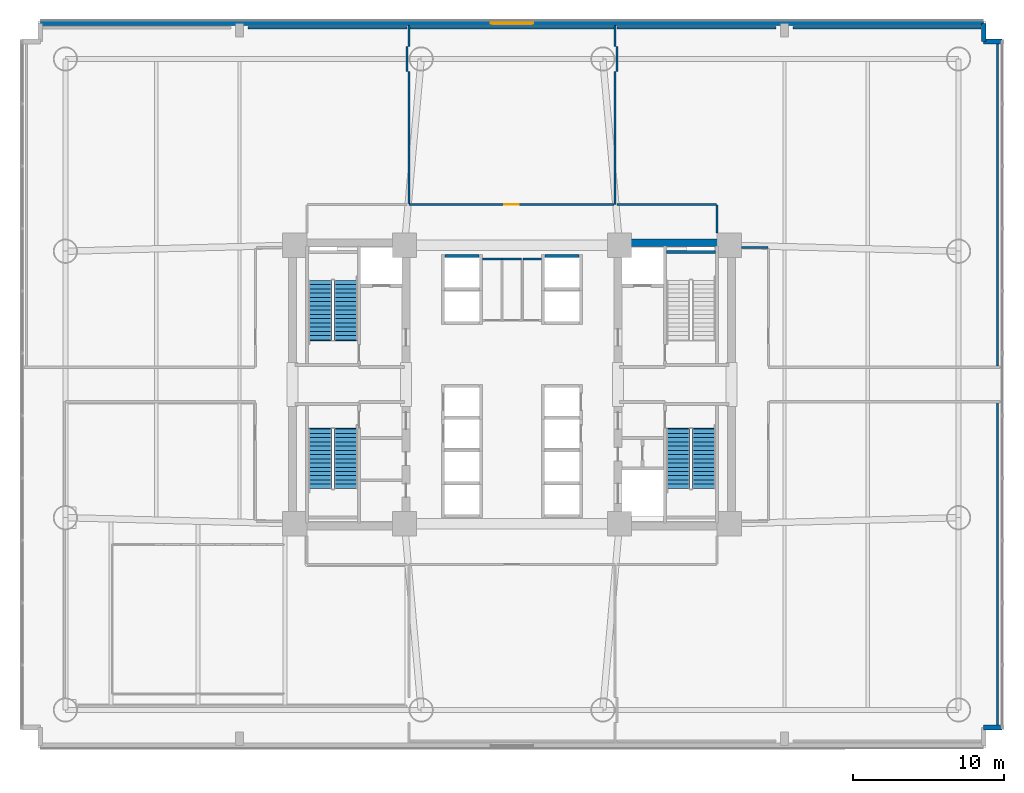
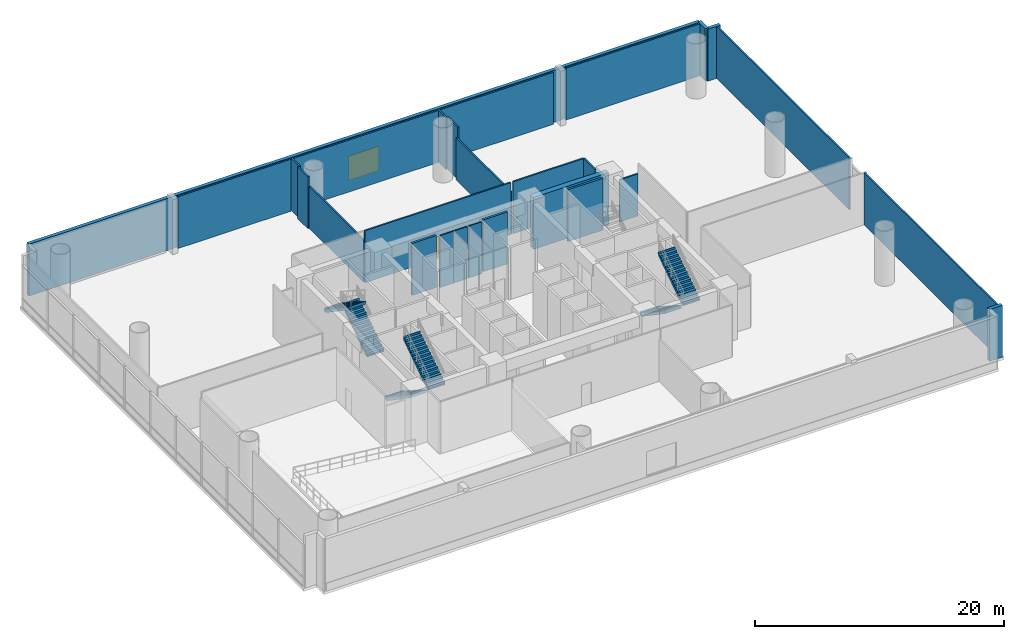
# One storey, part 10 of 15: 27 walls, 6 stair flights, 1 door, 1 window, 2 openings, 3 elements without a shape of their own.
"""IFC4 building model written with IfcOpenShell, lengths in metres."""

from ifc_helpers import new_model, si_unit, direction, frame, frame_2d, origin, place, context, subcontext, project, spatial, polyline, rectangle, outline, extrude, source, transform, mapped, material, layer, layer_set, type_object, element, fill, aggregate, save


model = new_model("IFC4")

# Units and contexts
model_context = context("Model", 3, precision=1e-05, world=origin(), true_north=direction((0.0, 1.0)))
body_context = subcontext(model_context, "Body", "Model", "MODEL_VIEW")
ifc_project = project(units=[si_unit("LENGTHUNIT", "METRE"), si_unit("AREAUNIT", "SQUARE_METRE"), si_unit("VOLUMEUNIT", "CUBIC_METRE"), si_unit("PLANEANGLEUNIT", "RADIAN"), si_unit("MASSUNIT", "GRAM", prefix="KILO")], contexts=[model_context])

# Site, building, storey
site_placement = place(None, origin())
site = spatial("IfcSite", under=ifc_project, at=site_placement, CompositionType="ELEMENT")
building_placement = place(site_placement, origin())
building = spatial("IfcBuilding", under=site, at=building_placement, Name="Zahravan Cultural Tower", CompositionType="ELEMENT")
storey_placement = place(building_placement, frame((0.0, 0.0, 12.60009765625)))
storey = spatial("IfcBuildingStorey", under=building, at=storey_placement, Name="L02", CompositionType="ELEMENT", Elevation=12.60009765625)

# Wall, opening, window
ifc_material_1 = material(Name="Precast concrete C40/50", Category="concrete")
ifc_layer_1 = layer(ifc_material_1, 0.320068359375)
ifc_layer_set_1 = layer_set([ifc_layer_1], Name="Precast concrete C40/50")
wall_type_1 = type_object("IfcWallType", Name="EW-TC-320", PredefinedType="SOLIDWALL", material=ifc_layer_set_1)
wall_1_placement = place(storey_placement, frame((4.840087890625, 50.860107421875, 0.0), z_axis=(0.0, 0.0, 1.0), x_axis=(1.0, 0.0, 0.0)))
wall_1 = element("IfcWall", 1, at=wall_1_placement, inside=storey, type_object=wall_type_1, Name="L02 Exterior Masonry Frame Wall 08", PredefinedType="SOLIDWALL", context=body_context, shape_type="SweptSolid", body=[
    extrude(rectangle(XDim=62.31982421875, YDim=0.320068359375, at=frame_2d((31.159912109375, 0.0))), origin(), (0.0, 0.0, 1.0), 5.099853515625),
])
opening_1_placement = place(wall_1_placement, frame((29.760009765625, 0.0, 0.85009765625)))
opening_1 = element("IfcOpeningElement", 2, at=opening_1_placement, cuts=wall_1, Name="Opening WN-04", PredefinedType="OPENING", context=body_context, shape_type="SweptSolid", body=[
    extrude(rectangle(XDim=2.800048828125, YDim=2.39990234375, at=frame_2d((1.39990234375, 1.199951171875))), frame((0.0, 0.169921875, 0.0), z_axis=(0.0, -1.0, 0.0), x_axis=(1.0, 0.0, 0.0)), (0.0, 0.0, 1.0), 0.340087890625),
])
ifc_material_2 = material(Name="Low-E solar-control double glazing", Category="glass")
window_type = type_object("IfcWindowType", Name="WN-POD-2800X2400", PartitioningType="TRIPLE_PANEL_VERTICAL", PredefinedType="WINDOW", material=ifc_material_2)
shared_shape_1 = source(origin(), body_context, "Body", "SweptSolid", [
    extrude(rectangle(XDim=2.800048828125, YDim=2.39990234375, at=frame_2d((1.39990234375, 1.199951171875))), frame((0.0, 0.030029296875, 0.0), z_axis=(0.0, -1.0, 0.0), x_axis=(1.0, 0.0, 0.0)), (0.0, 0.0, 1.0), 0.06005859375),
])
window_placement = place(opening_1_placement, origin())
window = element("IfcWindow", 3, at=window_placement, inside=storey, type_object=window_type, Name="L02 Recessed Solar Window 02", OverallHeight=2.39990234375, OverallWidth=2.800048828125, PartitioningType="TRIPLE_PANEL_VERTICAL", PredefinedType="WINDOW", context=body_context, shape_type="MappedRepresentation", body=[
    mapped(shared_shape_1, transform((0.0, 0.0, 0.0), x_axis=(1.0, 0.0, 0.0), y_axis=(0.0, 1.0, 0.0), z_axis=(0.0, 0.0, 1.0), scale=1.0)),
])
fill(opening_1, window)

# Wall, opening, door
ifc_material_3 = material(Name="Gypsum plasterboard partition")
ifc_layer_2 = layer(ifc_material_3, 0.139892578125)
ifc_layer_set_2 = layer_set([ifc_layer_2], Name="Gypsum plasterboard partition")
wall_type_2 = type_object("IfcWallType", Name="W-PART-140", PredefinedType="PARTITIONING", material=ifc_layer_set_2)
wall_2_placement = place(storey_placement, frame((42.735107421875, 38.889892578125, 0.0), z_axis=(0.0, 0.0, 1.0), x_axis=(-1.0, 0.0, 0.0)))
wall_2 = element("IfcWall", 4, at=wall_2_placement, inside=storey, type_object=wall_type_2, Name="L02 Interior Wall 085", PredefinedType="PARTITIONING", context=body_context, shape_type="SweptSolid", body=[
    extrude(rectangle(XDim=13.545166015625, YDim=0.139892578125, at=frame_2d((6.7724609375, 0.0))), origin(), (0.0, 0.0, 1.0), 5.099853515625),
])
opening_2_placement = place(wall_2_placement, frame((6.297607421875, 0.0, 0.0)))
opening_2 = element("IfcOpeningElement", 5, at=opening_2_placement, cuts=wall_2, Name="Opening D-L02-21", PredefinedType="OPENING", context=body_context, shape_type="SweptSolid", body=[
    extrude(rectangle(XDim=0.949951171875, YDim=2.14990234375, at=frame_2d((0.47509765625, 1.074951171875))), frame((0.0, 0.079833984375, 0.0), z_axis=(0.0, -1.0, 0.0), x_axis=(1.0, 0.0, 0.0)), (0.0, 0.0, 1.0), 0.159912109375),
])
ifc_material_4 = material(Name="Anodised bronze-aluminium mullion", Category="aluminium")
door_type = type_object("IfcDoorType", Name="DR-ROOM-950", OperationType="NOTDEFINED", PredefinedType="DOOR", material=ifc_material_4)
shared_shape_2 = source(origin(), body_context, "Body", "SweptSolid", [
    extrude(rectangle(XDim=0.949951171875, YDim=2.14990234375, at=frame_2d((0.47509765625, 1.074951171875))), frame((0.0, 0.02490234375, 0.0), z_axis=(0.0, -1.0, 0.0), x_axis=(1.0, 0.0, 0.0)), (0.0, 0.0, 1.0), 0.050048828125),
])
door_placement = place(opening_2_placement, origin())
door = element("IfcDoor", 6, at=door_placement, inside=storey, type_object=door_type, Name="L02 Door D-L02-21", OperationType="SINGLE_SWING_RIGHT", OverallHeight=2.14990234375, OverallWidth=0.949951171875, PredefinedType="DOOR", context=body_context, shape_type="MappedRepresentation", body=[
    mapped(shared_shape_2, transform((0.0, 0.0, 0.0), x_axis=(1.0, 0.0, 0.0), y_axis=(0.0, 1.0, 0.0), z_axis=(0.0, 0.0, 1.0), scale=1.0)),
])
fill(opening_2, door)

# Walls
ifc_material_5 = material(Name="Concrete C60/75", Category="concrete")
ifc_layer_3 = layer(ifc_material_5, 0.5)
ifc_layer_set_3 = layer_set([ifc_layer_3], Name="Concrete C60/75")
wall_type_3 = type_object("IfcWallType", Name="CW-SHEAR-500-C60", PredefinedType="SHEAR", material=ifc_layer_set_3)
shared_shape_3 = source(origin(), body_context, "Body", "SweptSolid", [
    extrude(rectangle(XDim=7.0, YDim=0.5, at=frame_2d((3.5, 0.0))), origin(), (0.0, 0.0, 1.0), 5.099853515625),
])
wall_3_placement = place(storey_placement, frame((43.25, 36.35009765625, 0.0), z_axis=(0.0, 0.0, 1.0), x_axis=(1.0, 0.0, 0.0)))
element("IfcWall", 7, at=wall_3_placement, inside=storey, type_object=wall_type_3, Name="L02 Core Shear Wall CW-E-N-L02", PredefinedType="SHEAR", context=body_context, shape_type="MappedRepresentation", body=[
    mapped(shared_shape_3, transform((0.0, 0.0, 0.0), x_axis=(1.0, 0.0, 0.0), y_axis=(0.0, 1.0, 0.0), z_axis=(0.0, 0.0, 1.0), scale=1.0)),
])
shared_shape_4 = source(origin(), body_context, "Body", "SweptSolid", [
    extrude(rectangle(XDim=1.2001953125, YDim=0.320068359375, at=frame_2d((0.60009765625, 0.0))), origin(), (0.0, 0.0, 1.0), 5.099853515625),
])
for number, where, z_axis, x_axis, name in (
    (8, (68.360107421875, 4.340087890625, 0.0), (0.0, 0.0, 1.0), (-1.0, 0.0, 0.0), "L02 Exterior Masonry Frame Wall 01"),
    (9, (67.159912109375, 50.860107421875, 0.0), (0.0, 0.0, 1.0), (0.0, -1.0, 0.0), "L02 Exterior Masonry Frame Wall 09"),
    (10, (67.159912109375, 49.659912109375, 0.0), (0.0, 0.0, 1.0), (1.0, 0.0, 0.0), "L02 Exterior Masonry Frame Wall 10"),
):
    element("IfcWall", number, at=place(storey_placement, frame(where, z_axis=z_axis, x_axis=x_axis)), inside=storey, type_object=wall_type_1, Name=name, PredefinedType="SOLIDWALL", context=body_context, shape_type="MappedRepresentation", body=[
        mapped(shared_shape_4, transform((0.0, 0.0, 0.0), x_axis=(1.0, 0.0, 0.0), y_axis=(0.0, 1.0, 0.0), z_axis=(0.0, 0.0, 1.0), scale=1.0)),
    ])
ifc_material_6 = material(Name="Concrete C45/55", Category="concrete")
ifc_layer_4 = layer(ifc_material_6, 0.199951171875)
ifc_layer_set_4 = layer_set([ifc_layer_4], Name="Concrete C45/55")
wall_type_4 = type_object("IfcWallType", Name="W-SHAFT-200", PredefinedType="SOLIDWALL", material=ifc_layer_set_4)
shared_shape_5 = source(origin(), body_context, "Body", "SweptSolid", [
    extrude(rectangle(XDim=3.25, YDim=0.199951171875, at=frame_2d((1.625, 0.0))), origin(), (0.0, 0.0, 1.0), 5.099853515625),
])
wall_4_placement = place(storey_placement, frame((46.199951171875, 35.75, 0.0), z_axis=(0.0, 0.0, 1.0), x_axis=(1.0, 0.0, 0.0)))
element("IfcWall", 11, at=wall_4_placement, inside=storey, type_object=wall_type_4, Name="L02 Interior Wall 018", PredefinedType="SOLIDWALL", context=body_context, shape_type="MappedRepresentation", body=[
    mapped(shared_shape_5, transform((0.0, 0.0, 0.0), x_axis=(1.0, 0.0, 0.0), y_axis=(0.0, 1.0, 0.0), z_axis=(0.0, 0.0, 1.0), scale=1.0)),
])
shared_shape_6 = source(origin(), body_context, "Body", "SweptSolid", [
    extrude(rectangle(XDim=2.260009765625, YDim=0.199951171875, at=frame_2d((1.1298828125, 0.0))), origin(), (0.0, 0.0, 1.0), 5.099853515625),
])
for number, where, z_axis, x_axis, name in (
    (12, (31.570068359375, 35.5, 0.0), (0.0, 0.0, 1.0), (1.0, 0.0, 0.0), "L02 Interior Wall 031"),
    (13, (38.169921875, 35.5, 0.0), (0.0, 0.0, 1.0), (1.0, 0.0, 0.0), "L02 Interior Wall 038"),
):
    element("IfcWall", number, at=place(storey_placement, frame(where, z_axis=z_axis, x_axis=x_axis)), inside=storey, type_object=wall_type_4, Name=name, PredefinedType="SOLIDWALL", context=body_context, shape_type="MappedRepresentation", body=[
        mapped(shared_shape_6, transform((0.0, 0.0, 0.0), x_axis=(1.0, 0.0, 0.0), y_axis=(0.0, 1.0, 0.0), z_axis=(0.0, 0.0, 1.0), scale=1.0)),
    ])
ifc_layer_5 = layer(ifc_material_3, 0.114990234375)
ifc_layer_set_5 = layer_set([ifc_layer_5], Name="Gypsum plasterboard partition")
wall_type_5 = type_object("IfcWallType", Name="W-WC-115", PredefinedType="PARTITIONING", material=ifc_layer_set_5)
shared_shape_7 = source(origin(), body_context, "Body", "SweptSolid", [
    extrude(rectangle(XDim=1.20263671875, YDim=0.114990234375, at=frame_2d((0.601318359375, 0.0))), origin(), (0.0, 0.0, 1.0), 5.099853515625),
])
wall_5_placement = place(storey_placement, frame((36.742431640625, 35.280029296875, 0.0), z_axis=(0.0, 0.0, 1.0), x_axis=(1.0, 0.0, 0.0)))
element("IfcWall", 14, at=wall_5_placement, inside=storey, type_object=wall_type_5, Name="L02 Interior Wall 069", PredefinedType="PARTITIONING", context=body_context, shape_type="MappedRepresentation", body=[
    mapped(shared_shape_7, transform((0.0, 0.0, 0.0), x_axis=(1.0, 0.0, 0.0), y_axis=(0.0, 1.0, 0.0), z_axis=(0.0, 0.0, 1.0), scale=1.0)),
])
shared_shape_8 = source(origin(), body_context, "Body", "SweptSolid", [
    extrude(rectangle(XDim=1.28515625, YDim=0.114990234375, at=frame_2d((0.642578125, 0.0))), origin(), (0.0, 0.0, 1.0), 5.099853515625),
])
wall_6_placement = place(storey_placement, frame((34.054931640625, 35.280029296875, 0.0), z_axis=(0.0, 0.0, 1.0), x_axis=(1.0, 0.0, 0.0)))
element("IfcWall", 15, at=wall_6_placement, inside=storey, type_object=wall_type_5, Name="L02 Interior Wall 071", PredefinedType="PARTITIONING", context=body_context, shape_type="MappedRepresentation", body=[
    mapped(shared_shape_8, transform((0.0, 0.0, 0.0), x_axis=(1.0, 0.0, 0.0), y_axis=(0.0, 1.0, 0.0), z_axis=(0.0, 0.0, 1.0), scale=1.0)),
])
shared_shape_9 = source(origin(), body_context, "Body", "SweptSolid", [
    extrude(rectangle(XDim=1.27734375, YDim=0.114990234375, at=frame_2d((0.638671875, 0.0))), origin(), (0.0, 0.0, 1.0), 5.099853515625),
])
wall_7_placement = place(storey_placement, frame((35.340087890625, 35.280029296875, 0.0), z_axis=(0.0, 0.0, 1.0), x_axis=(1.0, 0.0, 0.0)))
element("IfcWall", 16, at=wall_7_placement, inside=storey, type_object=wall_type_5, Name="L02 Interior Wall 074", PredefinedType="PARTITIONING", context=body_context, shape_type="MappedRepresentation", body=[
    mapped(shared_shape_9, transform((0.0, 0.0, 0.0), x_axis=(1.0, 0.0, 0.0), y_axis=(0.0, 1.0, 0.0), z_axis=(0.0, 0.0, 1.0), scale=1.0)),
])
shared_shape_10 = source(origin(), body_context, "Body", "SweptSolid", [
    extrude(rectangle(XDim=13.6201171875, YDim=0.139892578125, at=frame_2d((6.81005859375, 0.0))), origin(), (0.0, 0.0, 1.0), 5.099853515625),
])
wall_8_placement = place(storey_placement, frame((29.18994140625, 50.56005859375, 0.0), z_axis=(0.0, 0.0, 1.0), x_axis=(1.0, 0.0, 0.0)))
element("IfcWall", 17, at=wall_8_placement, inside=storey, type_object=wall_type_2, Name="L02 Interior Wall 082", PredefinedType="PARTITIONING", context=body_context, shape_type="MappedRepresentation", body=[
    mapped(shared_shape_10, transform((0.0, 0.0, 0.0), x_axis=(1.0, 0.0, 0.0), y_axis=(0.0, 1.0, 0.0), z_axis=(0.0, 0.0, 1.0), scale=1.0)),
])
shared_shape_11 = source(origin(), body_context, "Body", "SweptSolid", [
    extrude(rectangle(XDim=1.3798828125, YDim=0.139892578125, at=frame_2d((0.68994140625, 0.0))), origin(), (0.0, 0.0, 1.0), 5.099853515625),
])
for number, where, z_axis, x_axis, name in (
    (18, (42.81005859375, 50.699951171875, 0.0), (0.0, 0.0, 1.0), (0.0, -1.0, 0.0), "L02 Interior Wall 083"),
    (19, (29.18994140625, 49.320068359375, 0.0), (0.0, 0.0, 1.0), (0.0, 1.0, 0.0), "L02 Interior Wall 087"),
):
    element("IfcWall", number, at=place(storey_placement, frame(where, z_axis=z_axis, x_axis=x_axis)), inside=storey, type_object=wall_type_2, Name=name, PredefinedType="PARTITIONING", context=body_context, shape_type="MappedRepresentation", body=[
        mapped(shared_shape_11, transform((0.0, 0.0, 0.0), x_axis=(1.0, 0.0, 0.0), y_axis=(0.0, 1.0, 0.0), z_axis=(0.0, 0.0, 1.0), scale=1.0)),
    ])
shared_shape_12 = source(origin(), body_context, "Body", "SweptSolid", [
    extrude(rectangle(XDim=8.7900390625, YDim=0.139892578125, at=frame_2d((4.39501953125, 0.0))), origin(), (0.0, 0.0, 1.0), 4.126953125),
])
wall_9_placement = place(storey_placement, frame((42.81005859375, 47.679931640625, 0.0), z_axis=(0.0, 0.0, 1.0), x_axis=(0.0, -1.0, 0.0)))
element("IfcWall", 20, at=wall_9_placement, inside=storey, type_object=wall_type_2, Name="L02 Interior Wall 084", PredefinedType="PARTITIONING", context=body_context, shape_type="MappedRepresentation", body=[
    mapped(shared_shape_12, transform((0.0, 0.0, 0.0), x_axis=(1.0, 0.0, 0.0), y_axis=(0.0, 1.0, 0.0), z_axis=(0.0, 0.0, 1.0), scale=1.0)),
])
shared_shape_13 = source(origin(), body_context, "Body", "SweptSolid", [
    extrude(rectangle(XDim=8.71484375, YDim=0.139892578125, at=frame_2d((4.357421875, 0.0))), origin(), (0.0, 0.0, 1.0), 4.126953125),
])
wall_10_placement = place(storey_placement, frame((29.18994140625, 38.965087890625, 0.0), z_axis=(0.0, 0.0, 1.0), x_axis=(0.0, 1.0, 0.0)))
element("IfcWall", 21, at=wall_10_placement, inside=storey, type_object=wall_type_2, Name="L02 Interior Wall 086", PredefinedType="PARTITIONING", context=body_context, shape_type="MappedRepresentation", body=[
    mapped(shared_shape_13, transform((0.0, 0.0, 0.0), x_axis=(1.0, 0.0, 0.0), y_axis=(0.0, 1.0, 0.0), z_axis=(0.0, 0.0, 1.0), scale=1.0)),
])
shared_shape_14 = source(origin(), body_context, "Body", "SweptSolid", [
    extrude(rectangle(XDim=6.55419921875, YDim=0.139892578125, at=frame_2d((3.277099609375, 0.0))), origin(), (0.0, 0.0, 1.0), 5.099853515625),
])
wall_11_placement = place(storey_placement, frame((49.494140625, 38.889892578125, 0.0), z_axis=(0.0, 0.0, 1.0), x_axis=(-1.0, 0.0, 0.0)))
element("IfcWall", 22, at=wall_11_placement, inside=storey, type_object=wall_type_2, Name="L02 Interior Wall 118", PredefinedType="PARTITIONING", context=body_context, shape_type="MappedRepresentation", body=[
    mapped(shared_shape_14, transform((0.0, 0.0, 0.0), x_axis=(1.0, 0.0, 0.0), y_axis=(0.0, 1.0, 0.0), z_axis=(0.0, 0.0, 1.0), scale=1.0)),
])
shared_shape_15 = source(origin(), body_context, "Body", "SweptSolid", [
    extrude(rectangle(XDim=1.64013671875, YDim=0.139892578125, at=frame_2d((0.820068359375, 0.0))), origin(), (0.0, 0.0, 1.0), 5.099853515625),
])
for number, where, z_axis, x_axis, name in (
    (23, (29.06005859375, 49.320068359375, 0.0), (0.0, 0.0, 1.0), (0.0, -1.0, 0.0), "L02 Interior Wall 096"),
    (24, (42.93994140625, 47.679931640625, 0.0), (0.0, 0.0, 1.0), (0.0, 1.0, 0.0), "L02 Interior Wall 119"),
):
    element("IfcWall", number, at=place(storey_placement, frame(where, z_axis=z_axis, x_axis=x_axis)), inside=storey, type_object=wall_type_2, Name=name, PredefinedType="PARTITIONING", context=body_context, shape_type="MappedRepresentation", body=[
        mapped(shared_shape_15, transform((0.0, 0.0, 0.0), x_axis=(1.0, 0.0, 0.0), y_axis=(0.0, 1.0, 0.0), z_axis=(0.0, 0.0, 1.0), scale=1.0)),
    ])
shared_shape_16 = source(origin(), body_context, "Body", "SweptSolid", [
    extrude(rectangle(XDim=21.280029296875, YDim=0.139892578125, at=frame_2d((10.64013671875, 0.0))), origin(), (0.0, 0.0, 1.0), 5.099853515625),
])
wall_12_placement = place(storey_placement, frame((68.06005859375, 49.4951171875, 0.0), z_axis=(0.0, 0.0, 1.0), x_axis=(0.0, -1.0, 0.0)))
element("IfcWall", 25, at=wall_12_placement, inside=storey, type_object=wall_type_2, Name="L02 Interior Wall 122", PredefinedType="PARTITIONING", context=body_context, shape_type="MappedRepresentation", body=[
    mapped(shared_shape_16, transform((0.0, 0.0, 0.0), x_axis=(1.0, 0.0, 0.0), y_axis=(0.0, 1.0, 0.0), z_axis=(0.0, 0.0, 1.0), scale=1.0)),
])
shared_shape_17 = source(origin(), body_context, "Body", "SweptSolid", [
    extrude(rectangle(XDim=12.425048828125, YDim=0.139892578125, at=frame_2d((6.21240234375, 0.0))), origin(), (0.0, 0.0, 1.0), 5.099853515625),
])
wall_13_placement = place(storey_placement, frame((54.570068359375, 50.56005859375, 0.0), z_axis=(0.0, 0.0, 1.0), x_axis=(1.0, 0.0, 0.0)))
element("IfcWall", 26, at=wall_13_placement, inside=storey, type_object=wall_type_2, Name="L02 Interior Wall 121", PredefinedType="PARTITIONING", context=body_context, shape_type="MappedRepresentation", body=[
    mapped(shared_shape_17, transform((0.0, 0.0, 0.0), x_axis=(1.0, 0.0, 0.0), y_axis=(0.0, 1.0, 0.0), z_axis=(0.0, 0.0, 1.0), scale=1.0)),
])
shared_shape_18 = source(origin(), body_context, "Body", "SweptSolid", [
    extrude(rectangle(XDim=10.489990234375, YDim=0.139892578125, at=frame_2d((5.2451171875, 0.0))), origin(), (0.0, 0.0, 1.0), 5.099853515625),
])
for number, where, z_axis, x_axis, name in (
    (27, (18.570068359375, 50.56005859375, 0.0), (0.0, 0.0, 1.0), (1.0, 0.0, 0.0), "L02 Interior Wall 104"),
    (28, (42.93994140625, 50.56005859375, 0.0), (0.0, 0.0, 1.0), (1.0, 0.0, 0.0), "L02 Interior Wall 120"),
):
    element("IfcWall", number, at=place(storey_placement, frame(where, z_axis=z_axis, x_axis=x_axis)), inside=storey, type_object=wall_type_2, Name=name, PredefinedType="PARTITIONING", context=body_context, shape_type="MappedRepresentation", body=[
        mapped(shared_shape_18, transform((0.0, 0.0, 0.0), x_axis=(1.0, 0.0, 0.0), y_axis=(0.0, 1.0, 0.0), z_axis=(0.0, 0.0, 1.0), scale=1.0)),
    ])
shared_shape_19 = source(origin(), body_context, "Body", "SweptSolid", [
    extrude(rectangle(XDim=21.355224609375, YDim=0.139892578125, at=frame_2d((10.677734375, 0.0))), origin(), (0.0, 0.0, 1.0), 5.099853515625),
])
wall_14_placement = place(storey_placement, frame((68.06005859375, 25.860107421875, 0.0), z_axis=(0.0, 0.0, 1.0), x_axis=(0.0, -1.0, 0.0)))
element("IfcWall", 29, at=wall_14_placement, inside=storey, type_object=wall_type_2, Name="L02 Interior Wall 105", PredefinedType="PARTITIONING", context=body_context, shape_type="MappedRepresentation", body=[
    mapped(shared_shape_19, transform((0.0, 0.0, 0.0), x_axis=(1.0, 0.0, 0.0), y_axis=(0.0, 1.0, 0.0), z_axis=(0.0, 0.0, 1.0), scale=1.0)),
])
shared_shape_20 = source(origin(), body_context, "Body", "SweptSolid", [
    extrude(rectangle(XDim=1.832275390625, YDim=0.139892578125, at=frame_2d((0.916015625, 0.0))), origin(), (0.0, 0.0, 1.0), 5.099853515625),
])
wall_15_placement = place(storey_placement, frame((49.539794921875, 37.02001953125, 0.0), z_axis=(0.0, 0.0, 1.0), x_axis=(-0.000133244502, 0.999999991123, 0.0)))
element("IfcWall", 30, at=wall_15_placement, inside=storey, type_object=wall_type_2, Name="L02 Interior Wall 117", PredefinedType="PARTITIONING", context=body_context, shape_type="MappedRepresentation", body=[
    mapped(shared_shape_20, transform((0.0, 0.0, 0.0), x_axis=(1.0, 0.0, 0.0), y_axis=(0.0, 1.0, 0.0), z_axis=(0.0, 0.0, 1.0), scale=1.0)),
])
shared_shape_21 = source(origin(), body_context, "Body", "SweptSolid", [
    extrude(rectangle(XDim=1.7255859375, YDim=0.139892578125, at=frame_2d((0.86279296875, 0.0))), origin(), (0.0, 0.0, 1.0), 4.126953125),
])
wall_16_placement = place(storey_placement, frame((52.8955078125, 36.0400390625, 0.0), z_axis=(0.0, 0.0, 1.0), x_axis=(-1.0, 0.0, 0.0)))
element("IfcWall", 31, at=wall_16_placement, inside=storey, type_object=wall_type_2, Name="L02 Interior Wall 116", PredefinedType="PARTITIONING", context=body_context, shape_type="MappedRepresentation", body=[
    mapped(shared_shape_21, transform((0.0, 0.0, 0.0), x_axis=(1.0, 0.0, 0.0), y_axis=(0.0, 1.0, 0.0), z_axis=(0.0, 0.0, 1.0), scale=1.0)),
])

# Stair, stair flights
stair_type = type_object("IfcStairType", Name="STR-DL-1550-540", PredefinedType="HALF_TURN_STAIR", material=ifc_material_6)
stair_1_placement = place(storey_placement, origin())
stair_1 = element("IfcStair", 32, at=stair_1_placement, inside=storey, type_object=stair_type, Name="L02 West Core North Exit Stair ST-W1", PredefinedType="HALF_TURN_STAIR")
stair_flight_type = type_object("IfcStairFlightType", Name="FLG-DL-1550-540", PredefinedType="STRAIGHT", material=ifc_material_6)
stair_flight_1_placement = place(storey_placement, frame((25.02490234375, 29.949951171875, 0.0), z_axis=(0.0, 0.0, 1.0), x_axis=(0.0, 1.0, 0.0)))
stair_flight_1 = element("IfcStairFlight", 33, at=stair_flight_1_placement, type_object=stair_flight_type, Name="ST-W1 flight 1", NumberOfRisers=15, NumberOfTreads=14, PredefinedType="STRAIGHT", RiserHeight=0.18, TreadLength=0.28, context=body_context, shape_type="SweptSolid", body=[
    extrude(outline(polyline([(-0.06494140625, -0.139892578125), (-0.06494140625, 0.0), (0.0, 0.0), (0.0, 0.179931640625), (0.280029296875, 0.179931640625), (0.280029296875, 0.360107421875), (0.56005859375, 0.360107421875), (0.56005859375, 0.5400390625), (0.840087890625, 0.5400390625), (0.840087890625, 0.719970703125), (1.1201171875, 0.719970703125), (1.1201171875, 0.89990234375), (1.39990234375, 0.89990234375), (1.39990234375, 1.080078125), (1.679931640625, 1.080078125), (1.679931640625, 1.260009765625), (1.9599609375, 1.260009765625), (1.9599609375, 1.43994140625), (2.239990234375, 1.43994140625), (2.239990234375, 1.6201171875), (2.52001953125, 1.6201171875), (2.52001953125, 1.800048828125), (2.800048828125, 1.800048828125), (2.800048828125, 1.97998046875), (3.080078125, 1.97998046875), (3.080078125, 2.159912109375), (3.360107421875, 2.159912109375), (3.360107421875, 2.340087890625), (3.639892578125, 2.340087890625), (3.639892578125, 2.52001953125), (3.919921875, 2.52001953125), (3.919921875, 2.699951171875), (3.985107421875, 2.699951171875), (3.985107421875, 2.550048828125), (3.919921875, 2.341796875), (0.277099609375, -0.139892578125), (-0.06494140625, -0.139892578125)])), frame((0.0, 0.77490234375, 0.0), z_axis=(0.0, -1.0, 0.0), x_axis=(1.0, 0.0, 0.0)), (0.0, 0.0, 1.0), 1.550048828125),
])
stair_flight_2_placement = place(storey_placement, frame((23.324951171875, 33.8701171875, 2.699951171875), z_axis=(0.0, 0.0, 1.0), x_axis=(0.0, -1.0, 0.0)))
stair_flight_2 = element("IfcStairFlight", 34, at=stair_flight_2_placement, type_object=stair_flight_type, Name="ST-W1 flight 2", NumberOfRisers=15, NumberOfTreads=14, PredefinedType="STRAIGHT", RiserHeight=0.18, TreadLength=0.28, context=body_context, shape_type="SweptSolid", body=[
    extrude(outline(polyline([(-0.06494140625, -0.139892578125), (-0.06494140625, 0.0), (0.0, 0.0), (0.0, 0.179931640625), (0.280029296875, 0.179931640625), (0.280029296875, 0.360107421875), (0.56005859375, 0.360107421875), (0.56005859375, 0.5400390625), (0.840087890625, 0.5400390625), (0.840087890625, 0.719970703125), (1.1201171875, 0.719970703125), (1.1201171875, 0.89990234375), (1.39990234375, 0.89990234375), (1.39990234375, 1.080078125), (1.679931640625, 1.080078125), (1.679931640625, 1.260009765625), (1.9599609375, 1.260009765625), (1.9599609375, 1.43994140625), (2.239990234375, 1.43994140625), (2.239990234375, 1.6201171875), (2.52001953125, 1.6201171875), (2.52001953125, 1.800048828125), (2.800048828125, 1.800048828125), (2.800048828125, 1.97998046875), (3.080078125, 1.97998046875), (3.080078125, 2.159912109375), (3.360107421875, 2.159912109375), (3.360107421875, 2.340087890625), (3.639892578125, 2.340087890625), (3.639892578125, 2.52001953125), (3.919921875, 2.52001953125), (3.919921875, 2.699951171875), (3.985107421875, 2.699951171875), (3.985107421875, 2.550048828125), (3.919921875, 2.341796875), (0.277099609375, -0.139892578125), (-0.06494140625, -0.139892578125)])), frame((0.0, 0.77490234375, 0.0), z_axis=(0.0, -1.0, 0.0), x_axis=(1.0, 0.0, 0.0)), (0.0, 0.0, 1.0), 1.550048828125),
])
aggregate(stair_1, [stair_flight_1, stair_flight_2])

stair_2_placement = place(storey_placement, origin())
stair_2 = element("IfcStair", 35, at=stair_2_placement, inside=storey, type_object=stair_type, Name="L02 West Core South Exit Stair ST-W2", PredefinedType="HALF_TURN_STAIR")
stair_flight_3_placement = place(storey_placement, frame((23.324951171875, 24.050048828125, 0.0), z_axis=(0.0, 0.0, 1.0), x_axis=(0.0, -1.0, 0.0)))
stair_flight_3 = element("IfcStairFlight", 36, at=stair_flight_3_placement, type_object=stair_flight_type, Name="ST-W2 flight 1", NumberOfRisers=15, NumberOfTreads=14, PredefinedType="STRAIGHT", RiserHeight=0.18, TreadLength=0.28, context=body_context, shape_type="SweptSolid", body=[
    extrude(outline(polyline([(-0.06494140625, -0.139892578125), (-0.06494140625, 0.0), (0.0, 0.0), (0.0, 0.179931640625), (0.280029296875, 0.179931640625), (0.280029296875, 0.360107421875), (0.56005859375, 0.360107421875), (0.56005859375, 0.5400390625), (0.840087890625, 0.5400390625), (0.840087890625, 0.719970703125), (1.1201171875, 0.719970703125), (1.1201171875, 0.89990234375), (1.39990234375, 0.89990234375), (1.39990234375, 1.080078125), (1.679931640625, 1.080078125), (1.679931640625, 1.260009765625), (1.9599609375, 1.260009765625), (1.9599609375, 1.43994140625), (2.239990234375, 1.43994140625), (2.239990234375, 1.6201171875), (2.52001953125, 1.6201171875), (2.52001953125, 1.800048828125), (2.800048828125, 1.800048828125), (2.800048828125, 1.97998046875), (3.080078125, 1.97998046875), (3.080078125, 2.159912109375), (3.360107421875, 2.159912109375), (3.360107421875, 2.340087890625), (3.639892578125, 2.340087890625), (3.639892578125, 2.52001953125), (3.919921875, 2.52001953125), (3.919921875, 2.699951171875), (3.985107421875, 2.699951171875), (3.985107421875, 2.550048828125), (3.919921875, 2.341796875), (0.277099609375, -0.139892578125), (-0.06494140625, -0.139892578125)])), frame((0.0, 0.77490234375, 0.0), z_axis=(0.0, -1.0, 0.0), x_axis=(1.0, 0.0, 0.0)), (0.0, 0.0, 1.0), 1.550048828125),
])
stair_flight_4_placement = place(storey_placement, frame((25.02490234375, 20.1298828125, 2.699951171875), z_axis=(0.0, 0.0, 1.0), x_axis=(0.0, 1.0, 0.0)))
stair_flight_4 = element("IfcStairFlight", 37, at=stair_flight_4_placement, type_object=stair_flight_type, Name="ST-W2 flight 2", NumberOfRisers=15, NumberOfTreads=14, PredefinedType="STRAIGHT", RiserHeight=0.18, TreadLength=0.28, context=body_context, shape_type="SweptSolid", body=[
    extrude(outline(polyline([(-0.06494140625, -0.139892578125), (-0.06494140625, 0.0), (0.0, 0.0), (0.0, 0.179931640625), (0.280029296875, 0.179931640625), (0.280029296875, 0.360107421875), (0.56005859375, 0.360107421875), (0.56005859375, 0.5400390625), (0.840087890625, 0.5400390625), (0.840087890625, 0.719970703125), (1.1201171875, 0.719970703125), (1.1201171875, 0.89990234375), (1.39990234375, 0.89990234375), (1.39990234375, 1.080078125), (1.679931640625, 1.080078125), (1.679931640625, 1.260009765625), (1.9599609375, 1.260009765625), (1.9599609375, 1.43994140625), (2.239990234375, 1.43994140625), (2.239990234375, 1.6201171875), (2.52001953125, 1.6201171875), (2.52001953125, 1.800048828125), (2.800048828125, 1.800048828125), (2.800048828125, 1.97998046875), (3.080078125, 1.97998046875), (3.080078125, 2.159912109375), (3.360107421875, 2.159912109375), (3.360107421875, 2.340087890625), (3.639892578125, 2.340087890625), (3.639892578125, 2.52001953125), (3.919921875, 2.52001953125), (3.919921875, 2.699951171875), (3.985107421875, 2.699951171875), (3.985107421875, 2.550048828125), (3.919921875, 2.341796875), (0.277099609375, -0.139892578125), (-0.06494140625, -0.139892578125)])), frame((0.0, 0.77490234375, 0.0), z_axis=(0.0, -1.0, 0.0), x_axis=(1.0, 0.0, 0.0)), (0.0, 0.0, 1.0), 1.550048828125),
])
aggregate(stair_2, [stair_flight_3, stair_flight_4])

stair_3_placement = place(storey_placement, origin())
stair_3 = element("IfcStair", 38, at=stair_3_placement, inside=storey, type_object=stair_type, Name="L02 East Core South Exit Stair ST-E2", PredefinedType="HALF_TURN_STAIR")
stair_flight_5_placement = place(storey_placement, frame((46.97509765625, 24.050048828125, 0.0), z_axis=(0.0, 0.0, 1.0), x_axis=(0.0, -1.0, 0.0)))
stair_flight_5 = element("IfcStairFlight", 39, at=stair_flight_5_placement, type_object=stair_flight_type, Name="ST-E2 flight 1", NumberOfRisers=15, NumberOfTreads=14, PredefinedType="STRAIGHT", RiserHeight=0.18, TreadLength=0.28, context=body_context, shape_type="SweptSolid", body=[
    extrude(outline(polyline([(-0.06494140625, -0.139892578125), (-0.06494140625, 0.0), (0.0, 0.0), (0.0, 0.179931640625), (0.280029296875, 0.179931640625), (0.280029296875, 0.360107421875), (0.56005859375, 0.360107421875), (0.56005859375, 0.5400390625), (0.840087890625, 0.5400390625), (0.840087890625, 0.719970703125), (1.1201171875, 0.719970703125), (1.1201171875, 0.89990234375), (1.39990234375, 0.89990234375), (1.39990234375, 1.080078125), (1.679931640625, 1.080078125), (1.679931640625, 1.260009765625), (1.9599609375, 1.260009765625), (1.9599609375, 1.43994140625), (2.239990234375, 1.43994140625), (2.239990234375, 1.6201171875), (2.52001953125, 1.6201171875), (2.52001953125, 1.800048828125), (2.800048828125, 1.800048828125), (2.800048828125, 1.97998046875), (3.080078125, 1.97998046875), (3.080078125, 2.159912109375), (3.360107421875, 2.159912109375), (3.360107421875, 2.340087890625), (3.639892578125, 2.340087890625), (3.639892578125, 2.52001953125), (3.919921875, 2.52001953125), (3.919921875, 2.699951171875), (3.985107421875, 2.699951171875), (3.985107421875, 2.550048828125), (3.919921875, 2.341796875), (0.277099609375, -0.139892578125), (-0.06494140625, -0.139892578125)])), frame((0.0, 0.77490234375, 0.0), z_axis=(0.0, -1.0, 0.0), x_axis=(1.0, 0.0, 0.0)), (0.0, 0.0, 1.0), 1.550048828125),
])
stair_flight_6_placement = place(storey_placement, frame((48.675048828125, 20.1298828125, 2.699951171875), z_axis=(0.0, 0.0, 1.0), x_axis=(0.0, 1.0, 0.0)))
stair_flight_6 = element("IfcStairFlight", 40, at=stair_flight_6_placement, type_object=stair_flight_type, Name="ST-E2 flight 2", NumberOfRisers=15, NumberOfTreads=14, PredefinedType="STRAIGHT", RiserHeight=0.18, TreadLength=0.28, context=body_context, shape_type="SweptSolid", body=[
    extrude(outline(polyline([(-0.06494140625, -0.139892578125), (-0.06494140625, 0.0), (0.0, 0.0), (0.0, 0.179931640625), (0.280029296875, 0.179931640625), (0.280029296875, 0.360107421875), (0.56005859375, 0.360107421875), (0.56005859375, 0.5400390625), (0.840087890625, 0.5400390625), (0.840087890625, 0.719970703125), (1.1201171875, 0.719970703125), (1.1201171875, 0.89990234375), (1.39990234375, 0.89990234375), (1.39990234375, 1.080078125), (1.679931640625, 1.080078125), (1.679931640625, 1.260009765625), (1.9599609375, 1.260009765625), (1.9599609375, 1.43994140625), (2.239990234375, 1.43994140625), (2.239990234375, 1.6201171875), (2.52001953125, 1.6201171875), (2.52001953125, 1.800048828125), (2.800048828125, 1.800048828125), (2.800048828125, 1.97998046875), (3.080078125, 1.97998046875), (3.080078125, 2.159912109375), (3.360107421875, 2.159912109375), (3.360107421875, 2.340087890625), (3.639892578125, 2.340087890625), (3.639892578125, 2.52001953125), (3.919921875, 2.52001953125), (3.919921875, 2.699951171875), (3.985107421875, 2.699951171875), (3.985107421875, 2.550048828125), (3.919921875, 2.341796875), (0.277099609375, -0.139892578125), (-0.06494140625, -0.139892578125)])), frame((0.0, 0.77490234375, 0.0), z_axis=(0.0, -1.0, 0.0), x_axis=(1.0, 0.0, 0.0)), (0.0, 0.0, 1.0), 1.550048828125),
])
aggregate(stair_3, [stair_flight_5, stair_flight_6])

save(model, "model.ifc")
